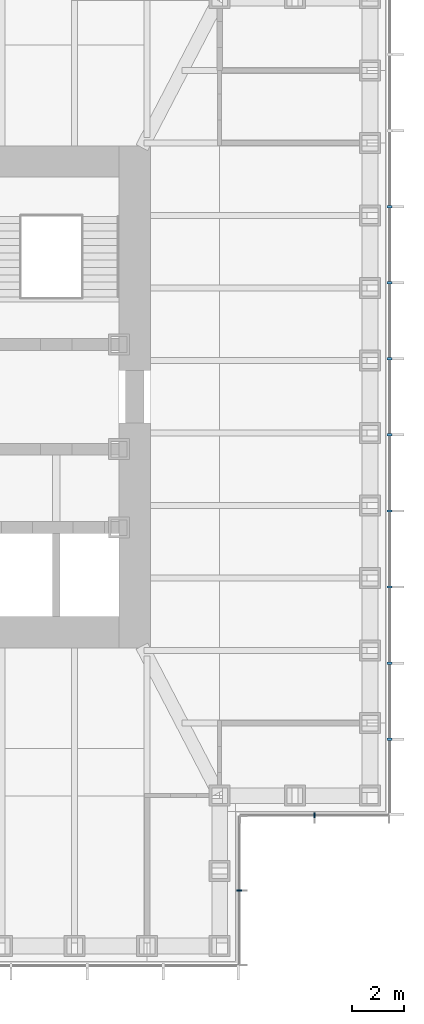
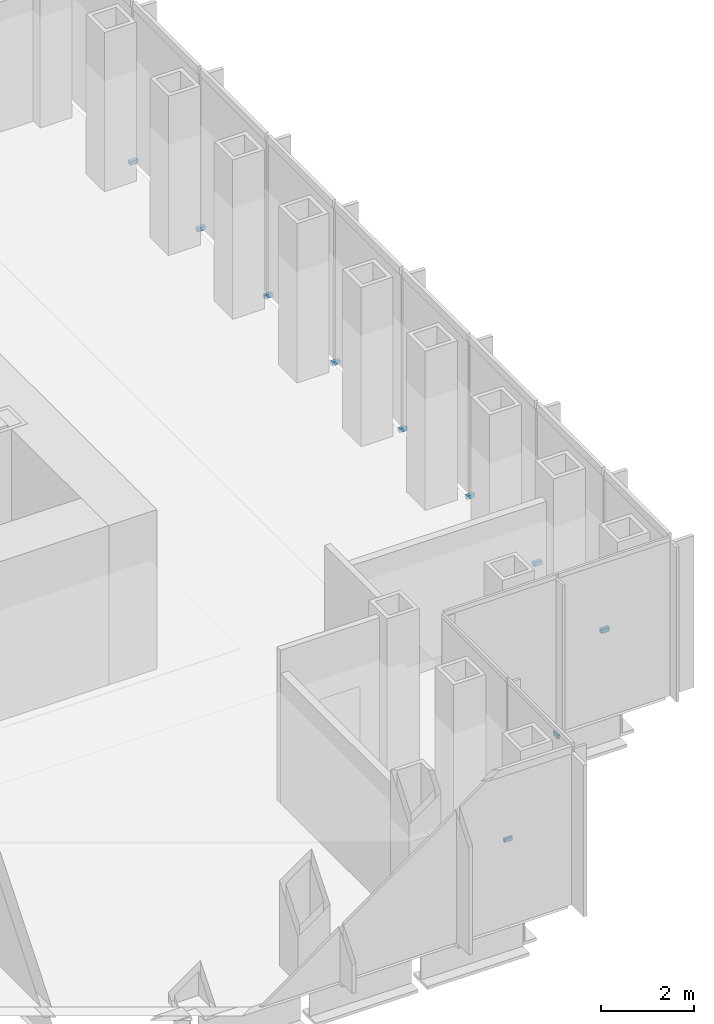
# One storey, part 13 of 16: 10 discrete accessories.
"""IFC4 building model written with IfcOpenShell, lengths in metres."""

from ifc_helpers import new_model, si_unit, direction, frame, origin, origin_2d, place, context, subcontext, project, spatial, rectangle, extrude, element, save


model = new_model("IFC4")

# Units and contexts
model_context = context("Model", 3, precision=1e-05, world=origin(), true_north=direction((0.0, 1.0)))
body_context = subcontext(model_context, "Body", "Model", "MODEL_VIEW")
ifc_project = project(units=[si_unit("LENGTHUNIT", "METRE"), si_unit("AREAUNIT", "SQUARE_METRE"), si_unit("VOLUMEUNIT", "CUBIC_METRE"), si_unit("PLANEANGLEUNIT", "RADIAN"), si_unit("MASSUNIT", "GRAM", prefix="KILO")], contexts=[model_context])

# Site, building, storey
site_placement = place(None, origin())
site = spatial("IfcSite", under=ifc_project, at=site_placement, CompositionType="ELEMENT")
building_placement = place(site_placement, origin())
building = spatial("IfcBuilding", under=site, at=building_placement, Name="Daluyong Arena Tower", CompositionType="ELEMENT")
storey_placement = place(building_placement, frame((0.0, 0.0, 254.5)))
storey = spatial("IfcBuildingStorey", under=building, at=storey_placement, Name="L57", CompositionType="ELEMENT", Elevation=254.5)

# Discrete accessories
for number, where, z_axis, x_axis, name in (
    (1, (72.0, 61.125, -0.10009765625), (0.0, 0.0, 1.0), (0.0, 1.0, 0.0), "curtain wall L57 SE-E anchor bracket 2"),
    (2, (74.875, 64.0, -0.10009765625), (0.0, 0.0, 1.0), (1.0, 0.0, 0.0), "curtain wall L57 SE-S anchor bracket 2"),
):
    element("IfcDiscreteAccessory", number, at=place(storey_placement, frame(where, z_axis=z_axis, x_axis=x_axis)), inside=storey, Name=name, PredefinedType="BRACKET", context=body_context, shape_type="SweptSolid", body=[
        extrude(rectangle(XDim=0.06005859375, YDim=0.199951171875, at=origin_2d()), origin(), (0.0, 0.0, 1.0), 0.10009765625),
    ])
for number, where, z_axis, x_axis, name in (
    (3, (77.75, 66.9091796875, -0.10009765625), (0.0, 0.0, 1.0), (0.0, 1.0, 0.0), "curtain wall L57 E anchor bracket 2"),
    (4, (77.75, 69.818115234375, -0.10009765625), (0.0, 0.0, 1.0), (0.0, 1.0, 0.0), "curtain wall L57 E anchor bracket 3"),
    (5, (77.75, 72.727294921875, -0.10009765625), (0.0, 0.0, 1.0), (0.0, 1.0, 0.0), "curtain wall L57 E anchor bracket 4"),
    (6, (77.75, 75.636474609375, -0.10009765625), (0.0, 0.0, 1.0), (0.0, 1.0, 0.0), "curtain wall L57 E anchor bracket 5"),
    (7, (77.75, 78.54541015625, -0.10009765625), (0.0, 0.0, 1.0), (0.0, 1.0, 0.0), "curtain wall L57 E anchor bracket 6"),
    (8, (77.75, 81.45458984375, -0.10009765625), (0.0, 0.0, 1.0), (0.0, 1.0, 0.0), "curtain wall L57 E anchor bracket 7"),
    (9, (77.75, 84.363525390625, -0.10009765625), (0.0, 0.0, 1.0), (0.0, 1.0, 0.0), "curtain wall L57 E anchor bracket 8"),
    (10, (77.75, 87.272705078125, -0.10009765625), (0.0, 0.0, 1.0), (0.0, 1.0, 0.0), "curtain wall L57 E anchor bracket 9"),
):
    element("IfcDiscreteAccessory", number, at=place(storey_placement, frame(where, z_axis=z_axis, x_axis=x_axis)), inside=storey, Name=name, PredefinedType="BRACKET", context=body_context, shape_type="SweptSolid", body=[
        extrude(rectangle(XDim=0.090087890625, YDim=0.199951171875, at=origin_2d()), origin(), (0.0, 0.0, 1.0), 0.10009765625),
    ])

save(model, "model.ifc")
